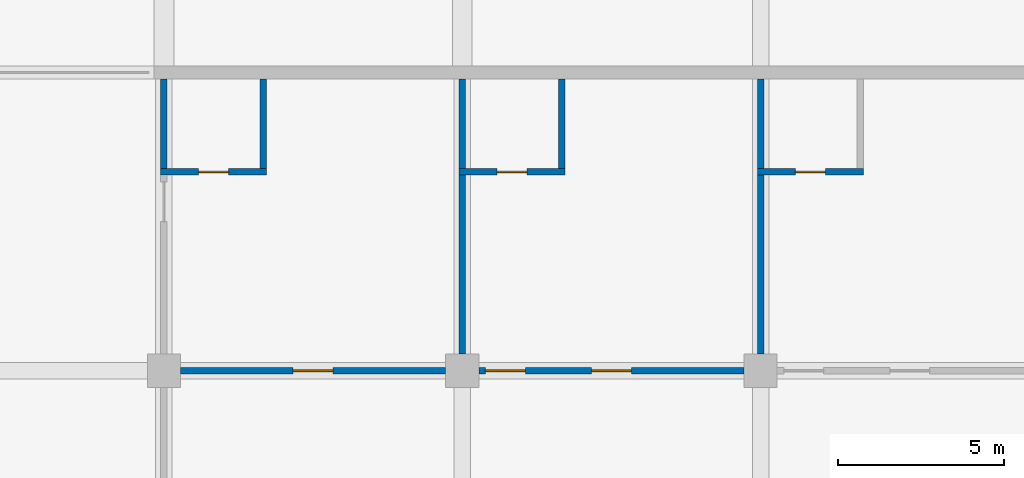
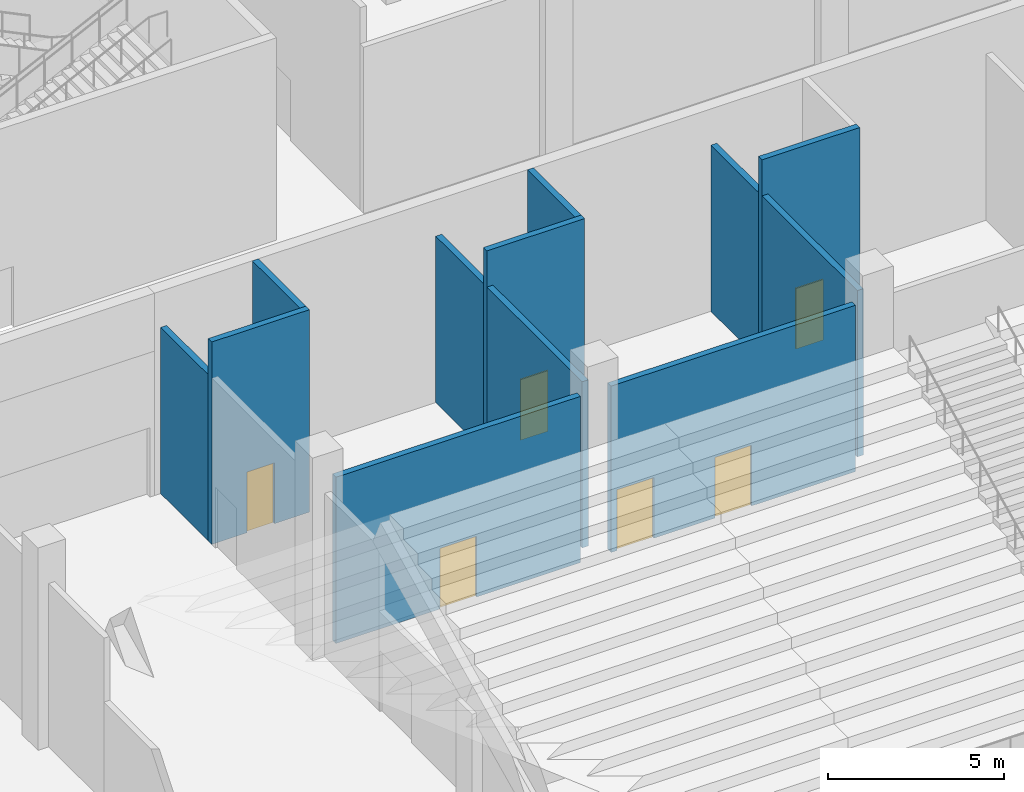
# One storey, part 30 of 92: 12 walls, 6 doors, 6 openings.
"""IFC4 building model written with IfcOpenShell, lengths in metres."""

import ifcopenshell
import ifcopenshell.guid

model = None  # the IFC model being written
_history = None  # IfcOwnerHistory: only IFC2X3 demands one
_inside = {}  # id of a spatial element -> (the spatial element, [elements in it])
_under = {}  # id of a project, library or spatial element -> (it, [spatial elements below it])
_declared = {}  # id of a project -> (the project, [libraries it declares])
_typed = {}  # id of a type object -> (the type object, [elements of that type])
_made_of = {}  # id of a material, layer set ... -> (it, [elements and type objects made of it])


def new_model(schema):
    """Start an empty IFC model of exactly this schema.

    Asked for "IFC4X3", IfcOpenShell would pick the latest addendum, in which some entities
    have other attributes; the version numbers below select the first issue.
    IFC2X3 requires an IfcOwnerHistory on every rooted entity: one is made here for all.
    """
    global model, _history
    if schema == "IFC4X3":
        model = ifcopenshell.file(schema_version=(4, 3, 0, 0))
    else:
        model = ifcopenshell.file(schema=schema)
    _inside.clear()
    _under.clear()
    _declared.clear()
    _typed.clear()
    _made_of.clear()
    _history = None
    if model.schema == "IFC2X3":
        org = make("IfcOrganization", Name="unknown")
        user = make(
            "IfcPersonAndOrganization",
            ThePerson=make("IfcPerson", FamilyName="unknown"),
            TheOrganization=org,
        )
        app = make(
            "IfcApplication",
            ApplicationDeveloper=org,
            Version="unknown",
            ApplicationFullName="unknown",
            ApplicationIdentifier="unknown",
        )
        _history = make(
            "IfcOwnerHistory",
            OwningUser=user,
            OwningApplication=app,
            ChangeAction="ADDED",
            CreationDate=0,
        )
    return model


def make(cls, **values):
    """One entity of the class cls with the attributes given. An attribute that is None is left unset."""
    return model.create_entity(
        cls, **{name: value for name, value in values.items() if value is not None}
    )


def rooted(cls, **values):
    """An entity with a GlobalId (a new one), such as an element, a storey or a relation."""
    return make(cls, GlobalId=ifcopenshell.guid.new(), OwnerHistory=_history, **values)


def si_unit(unit_type, name, prefix=None):
    """IfcSIUnit, for example si_unit("LENGTHUNIT", "METRE", prefix="MILLI")."""
    return make("IfcSIUnit", UnitType=unit_type, Prefix=prefix, Name=name)


def assignment(units):
    """IfcUnitAssignment: the units of a project."""
    return None if units is None else make("IfcUnitAssignment", Units=units)


def point(xyz):
    """IfcCartesianPoint."""
    return None if xyz is None else make("IfcCartesianPoint", Coordinates=xyz)


def direction(xyz):
    """IfcDirection."""
    return None if xyz is None else make("IfcDirection", DirectionRatios=xyz)


def frame(location, z_axis=None, x_axis=None):
    """IfcAxis2Placement3D, a coordinate frame: its origin and axes. An axis left out is left unset."""
    return make(
        "IfcAxis2Placement3D",
        Location=point(location),
        Axis=direction(z_axis),
        RefDirection=direction(x_axis),
    )


def frame_2d(location, x_axis=None):
    """IfcAxis2Placement2D, a coordinate frame in the plane: its origin and x axis."""
    return make(
        "IfcAxis2Placement2D", Location=point(location), RefDirection=direction(x_axis)
    )


def origin():
    """The frame at (0, 0, 0) with its axes left unset."""
    return frame((0.0, 0.0, 0.0))


def place(relative_to, where):
    """IfcLocalPlacement: puts the frame where relative to a parent placement (None: the world)."""
    return make(
        "IfcLocalPlacement", PlacementRelTo=relative_to, RelativePlacement=where
    )


def context(
    kind, dimensions, precision=None, world=None, true_north=None, identifier=None
):
    """IfcGeometricRepresentationContext, for example the 3D "Model" context."""
    return make(
        "IfcGeometricRepresentationContext",
        ContextIdentifier=identifier,
        ContextType=kind,
        CoordinateSpaceDimension=dimensions,
        Precision=precision,
        WorldCoordinateSystem=world,
        TrueNorth=true_north,
    )


def subcontext(parent, identifier, kind, view, scale=None):
    """IfcGeometricRepresentationSubContext, for example "Body" below "Model"."""
    return make(
        "IfcGeometricRepresentationSubContext",
        ContextIdentifier=identifier,
        ContextType=kind,
        ParentContext=parent,
        TargetScale=scale,
        TargetView=view,
    )


def project(units=None, contexts=None):
    """IfcProject with its units and contexts."""
    return rooted(
        "IfcProject",
        Name="project",
        RepresentationContexts=contexts,
        UnitsInContext=assignment(units),
    )


def spatial(cls, under=None, at=None, **own):
    """A site, building, storey or space (cls), placed at a placement, below another one or the project."""
    s = rooted(cls, ObjectPlacement=at, **own)
    if under is not None:
        _under.setdefault(under.id(), (under, []))[1].append(s)
    return s


def profile(cls, at=None, kind="AREA", **sizes):
    """A parametric profile (cls). Its sizes go by their IFC names, for example OverallWidth=200.0."""
    return make(cls, ProfileType=kind, Position=at, **sizes)


def rectangle(**sizes):
    """IfcRectangleProfileDef."""
    return profile("IfcRectangleProfileDef", **sizes)


def extrude(swept, where, along, depth):
    """IfcExtrudedAreaSolid: the profile swept, set in the frame where, extruded along a direction by depth."""
    return make(
        "IfcExtrudedAreaSolid",
        SweptArea=swept,
        Position=where,
        ExtrudedDirection=direction(along),
        Depth=depth,
    )


def shape(context_of_items, identifier, shape_type, items):
    """IfcShapeRepresentation: the items that make up one representation, for example the "Body"."""
    return make(
        "IfcShapeRepresentation",
        ContextOfItems=context_of_items,
        RepresentationIdentifier=identifier,
        RepresentationType=shape_type,
        Items=items,
    )


def material(Name=None, Category=None):
    """IfcMaterial."""
    return make("IfcMaterial", Name=Name, Category=Category)


def layer(
    of_material, thickness, ventilated=None, Name=None, Category=None, Priority=None
):
    """IfcMaterialLayer: one layer of a wall or slab, of a material (None: an air gap)."""
    return make(
        "IfcMaterialLayer",
        Material=of_material,
        LayerThickness=thickness,
        IsVentilated=ventilated,
        Name=Name,
        Category=Category,
        Priority=Priority,
    )


def layer_set(layers, Name=None):
    """IfcMaterialLayerSet."""
    return make("IfcMaterialLayerSet", MaterialLayers=layers, LayerSetName=Name)


def made_of(thing, what):
    """Note that an element or type object is made of a material, layer set ...; save() writes the relation."""
    if what is not None:
        _made_of.setdefault(what.id(), (what, []))[1].append(thing)
    return thing


def type_object(cls, material=None, **own):
    """A type object (cls), such as IfcWallType, which elements share."""
    return made_of(rooted(cls, **own), material)


def element(
    cls,
    number,
    at=None,
    inside=None,
    cuts=None,
    type_object=None,
    material=None,
    context=None,
    identifier="Body",
    shape_type=None,
    held_by="IfcProductDefinitionShape",
    body=None,
    shapes=None,
    **own,
):
    """One element of the class cls, such as IfcWall. Its Tag is "e" and its number.

    at: its placement. inside: the storey or other place that contains it. cuts: it is an
    opening in that element (IfcRelVoidsElement). A single representation is given by context,
    identifier, shape_type and body (its items); several are given by shapes. held_by: the class
    of the entity that holds the representations. save() writes the other relations.
    """
    e = rooted(cls, Tag="e%d" % number, ObjectPlacement=at, **own)
    if body is not None:
        shapes = [shape(context, identifier, shape_type, body)]
    if shapes is not None:
        e.Representation = make(held_by, Representations=shapes)
    if inside is not None:
        _inside.setdefault(inside.id(), (inside, []))[1].append(e)
    if cuts is not None:
        rooted(
            "IfcRelVoidsElement", RelatingBuildingElement=cuts, RelatedOpeningElement=e
        )
    if type_object is not None:
        _typed.setdefault(type_object.id(), (type_object, []))[1].append(e)
    return made_of(e, material)


def fill(opening, filler):
    """IfcRelFillsElement: the door or window that sits in an opening."""
    return rooted(
        "IfcRelFillsElement",
        RelatingOpeningElement=opening,
        RelatedBuildingElement=filler,
    )


def aggregate(whole, parts):
    """IfcRelAggregates: a whole, such as a stair, and the parts it consists of."""
    return rooted("IfcRelAggregates", RelatingObject=whole, RelatedObjects=parts)


def save(model, path):
    """Write the relations noted so far, then the file.

    IfcRelAggregates (storeys below a building ...), IfcRelContainedInSpatialStructure (elements
    in a storey), IfcRelDefinesByType, IfcRelAssociatesMaterial and IfcRelDeclares: one each for
    every whole, place, type object, material and project.
    """
    for whole, parts in _under.values():
        aggregate(whole, parts)
    for where, things in _inside.values():
        rooted(
            "IfcRelContainedInSpatialStructure",
            RelatedElements=things,
            RelatingStructure=where,
        )
    for kind, things in _typed.values():
        rooted("IfcRelDefinesByType", RelatedObjects=things, RelatingType=kind)
    for what, things in _made_of.values():
        rooted("IfcRelAssociatesMaterial", RelatedObjects=things, RelatingMaterial=what)
    for by, libraries in _declared.values():
        rooted("IfcRelDeclares", RelatingContext=by, RelatedDefinitions=libraries)
    model.write(path)


model = new_model("IFC4")

# Units and contexts
model_context = context("Model", 3, precision=1e-05, world=origin(), true_north=direction((0.0, 1.0)))
body_context = subcontext(model_context, "Body", "Model", "MODEL_VIEW")
ifc_project = project(units=[si_unit("LENGTHUNIT", "METRE"), si_unit("AREAUNIT", "SQUARE_METRE"), si_unit("VOLUMEUNIT", "CUBIC_METRE"), si_unit("PLANEANGLEUNIT", "RADIAN"), si_unit("MASSUNIT", "GRAM", prefix="KILO")], contexts=[model_context])

# Site, building, storey
site_placement = place(None, origin())
site = spatial("IfcSite", under=ifc_project, at=site_placement, CompositionType="ELEMENT")
building_placement = place(site_placement, origin())
building = spatial("IfcBuilding", under=site, at=building_placement, Name="Silverbay Arena", CompositionType="ELEMENT")
storey_placement = place(building_placement, origin())
storey = spatial("IfcBuildingStorey", under=building, at=storey_placement, Name="L00", CompositionType="ELEMENT", Elevation=0.0)

# Wall
ifc_material_1 = material(Name="Masonry blockwork partition", Category="masonry")
ifc_layer_1 = layer(ifc_material_1, 0.199951171875)
ifc_layer_set_1 = layer_set([ifc_layer_1], Name="Masonry blockwork partition")
wall_type_1 = type_object("IfcWallType", Name="Partition 200 EI 120", PredefinedType="PARTITIONING", material=ifc_layer_set_1)
wall_1_placement = place(storey_placement, frame((108.0, 123.10009765625, 0.0), z_axis=(0.0, 0.0, 1.0), x_axis=(0.0, 1.0, 0.0)))
element("IfcWall", 1, at=wall_1_placement, inside=storey, type_object=wall_type_1, Name="Partition wall", PredefinedType="PARTITIONING", context=body_context, shape_type="SweptSolid", body=[
    extrude(rectangle(XDim=2.699951171875, YDim=0.199951171875, at=frame_2d((1.35009765625, 0.0))), origin(), (0.0, 0.0, 1.0), 5.75),
])

# Wall, opening, door
ifc_material_2 = material(Name="Gypsum board partition on steel studs", Category="steel")
ifc_layer_2 = layer(ifc_material_2, 0.199951171875)
ifc_layer_set_2 = layer_set([ifc_layer_2], Name="Gypsum board partition on steel studs")
wall_type_2 = type_object("IfcWallType", Name="Partition 200 EI 60", PredefinedType="PARTITIONING", material=ifc_layer_set_2)
wall_2_placement = place(storey_placement, frame((108.5, 117.0, 0.0), z_axis=(0.0, 0.0, 1.0), x_axis=(1.0, 0.0, 0.0)))
wall_2 = element("IfcWall", 2, at=wall_2_placement, inside=storey, type_object=wall_type_2, Name="Partition wall", PredefinedType="PARTITIONING", context=body_context, shape_type="SweptSolid", body=[
    extrude(rectangle(XDim=8.0, YDim=0.199951171875, at=frame_2d((4.0, 0.0))), origin(), (0.0, 0.0, 1.0), 5.75),
])
opening_1_placement = place(wall_2_placement, frame((3.39990234375, 0.0, 0.0)))
opening_1 = element("IfcOpeningElement", 3, at=opening_1_placement, cuts=wall_2, Name="Opening L00-032", PredefinedType="OPENING", context=body_context, shape_type="SweptSolid", body=[
    extrude(rectangle(XDim=1.199951171875, YDim=2.10009765625, at=frame_2d((0.60009765625, 1.050048828125))), frame((0.0, 0.10986328125, 0.0), z_axis=(0.0, -1.0, 0.0), x_axis=(1.0, 0.0, 0.0)), (0.0, 0.0, 1.0), 0.219970703125),
])
ifc_material_3 = material(Name="Steel faced timber", Category="steel")
door_type_1 = type_object("IfcDoorType", Name="Single leaf door 1200 x 2100 FD30S", OperationType="SINGLE_SWING_LEFT", PredefinedType="DOOR", material=ifc_material_3)
door_1_placement = place(opening_1_placement, origin())
door_1 = element("IfcDoor", 4, at=door_1_placement, inside=storey, type_object=door_type_1, Name="Door L00-032", OperationType="SINGLE_SWING_RIGHT", OverallHeight=2.10009765625, OverallWidth=1.199951171875, PredefinedType="DOOR", context=body_context, shape_type="SweptSolid", body=[
    extrude(rectangle(XDim=1.199951171875, YDim=2.10009765625, at=frame_2d((0.60009765625, 1.050048828125))), frame((0.0, 0.02490234375, 0.0), z_axis=(0.0, -1.0, 0.0), x_axis=(1.0, 0.0, 0.0)), (0.0, 0.0, 1.0), 0.050048828125),
])
fill(opening_1, door_1)

# Wall, openings, doors
wall_3_placement = place(storey_placement, frame((117.5, 117.0, 0.0), z_axis=(0.0, 0.0, 1.0), x_axis=(1.0, 0.0, 0.0)))
wall_3 = element("IfcWall", 5, at=wall_3_placement, inside=storey, type_object=wall_type_2, Name="Partition wall", PredefinedType="PARTITIONING", context=body_context, shape_type="SweptSolid", body=[
    extrude(rectangle(XDim=8.0, YDim=0.199951171875, at=frame_2d((4.0, 0.0))), origin(), (0.0, 0.0, 1.0), 5.75),
])
opening_2_placement = place(wall_3_placement, frame((3.39990234375, 0.0, 0.0)))
opening_2 = element("IfcOpeningElement", 6, at=opening_2_placement, cuts=wall_3, Name="Opening L00-034", PredefinedType="OPENING", context=body_context, shape_type="SweptSolid", body=[
    extrude(rectangle(XDim=1.199951171875, YDim=2.10009765625, at=frame_2d((0.60009765625, 1.050048828125))), frame((0.0, 0.10986328125, 0.0), z_axis=(0.0, -1.0, 0.0), x_axis=(1.0, 0.0, 0.0)), (0.0, 0.0, 1.0), 0.219970703125),
])
opening_3_placement = place(wall_3_placement, frame((0.199951171875, 0.0, 0.0)))
opening_3 = element("IfcOpeningElement", 7, at=opening_3_placement, cuts=wall_3, Name="Opening L00-101", PredefinedType="OPENING", context=body_context, shape_type="SweptSolid", body=[
    extrude(rectangle(XDim=1.199951171875, YDim=2.10009765625, at=frame_2d((0.60009765625, 1.050048828125))), frame((0.0, 0.10986328125, 0.0), z_axis=(0.0, -1.0, 0.0), x_axis=(1.0, 0.0, 0.0)), (0.0, 0.0, 1.0), 0.219970703125),
])
door_2_placement = place(opening_2_placement, origin())
door_2 = element("IfcDoor", 8, at=door_2_placement, inside=storey, type_object=door_type_1, Name="Door L00-034", OperationType="SINGLE_SWING_RIGHT", OverallHeight=2.10009765625, OverallWidth=1.199951171875, PredefinedType="DOOR", context=body_context, shape_type="SweptSolid", body=[
    extrude(rectangle(XDim=1.199951171875, YDim=2.10009765625, at=frame_2d((0.60009765625, 1.050048828125))), frame((0.0, 0.02490234375, 0.0), z_axis=(0.0, -1.0, 0.0), x_axis=(1.0, 0.0, 0.0)), (0.0, 0.0, 1.0), 0.050048828125),
])
fill(opening_2, door_2)
door_3_placement = place(opening_3_placement, origin())
door_3 = element("IfcDoor", 9, at=door_3_placement, inside=storey, type_object=door_type_1, Name="Door L00-101", OperationType="SINGLE_SWING_LEFT", OverallHeight=2.10009765625, OverallWidth=1.199951171875, PredefinedType="DOOR", context=body_context, shape_type="SweptSolid", body=[
    extrude(rectangle(XDim=1.199951171875, YDim=2.10009765625, at=frame_2d((0.60009765625, 1.050048828125))), frame((0.0, 0.02490234375, 0.0), z_axis=(0.0, -1.0, 0.0), x_axis=(1.0, 0.0, 0.0)), (0.0, 0.0, 1.0), 0.050048828125),
])
fill(opening_3, door_3)

# Walls
for number, where, z_axis, x_axis, name in (
    (10, (117.0, 117.5, 0.0), (0.0, 0.0, 1.0), (0.0, 1.0, 0.0), "Partition wall"),
    (11, (126.0, 117.5, 0.0), (0.0, 0.0, 1.0), (0.0, 1.0, 0.0), "Partition wall"),
):
    element("IfcWall", number, at=place(storey_placement, frame(where, z_axis=z_axis, x_axis=x_axis)), inside=storey, type_object=wall_type_2, Name=name, PredefinedType="PARTITIONING", context=body_context, shape_type="SweptSolid", body=[
        extrude(rectangle(XDim=5.39990234375, YDim=0.199951171875, at=frame_2d((2.699951171875, 0.0))), origin(), (0.0, 0.0, 1.0), 5.75),
    ])

# Wall, opening, door
ifc_material_4 = material(Name="Gypsum board partition on steel studs", Category="steel")
ifc_layer_3 = layer(ifc_material_4, 0.199951171875)
ifc_layer_set_3 = layer_set([ifc_layer_3], Name="Gypsum board partition on steel studs")
wall_type_3 = type_object("IfcWallType", Name="Partition 200 plain", PredefinedType="PARTITIONING", material=ifc_layer_set_3)
wall_4_placement = place(storey_placement, frame((107.89990234375, 123.0, 0.0), z_axis=(0.0, 0.0, 1.0), x_axis=(1.0, 0.0, 0.0)))
wall_4 = element("IfcWall", 12, at=wall_4_placement, inside=storey, type_object=wall_type_3, Name="Partition wall", PredefinedType="PARTITIONING", context=body_context, shape_type="SweptSolid", body=[
    extrude(rectangle(XDim=3.2001953125, YDim=0.199951171875, at=frame_2d((1.60009765625, 0.0))), origin(), (0.0, 0.0, 1.0), 7.0),
])
opening_4_placement = place(wall_4_placement, frame((1.14990234375, 0.0, 0.0)))
opening_4 = element("IfcOpeningElement", 13, at=opening_4_placement, cuts=wall_4, Name="Opening L00-033", PredefinedType="OPENING", context=body_context, shape_type="SweptSolid", body=[
    extrude(rectangle(XDim=0.89990234375, YDim=2.10009765625, at=frame_2d((0.449951171875, 1.050048828125))), frame((0.0, 0.10986328125, 0.0), z_axis=(0.0, -1.0, 0.0), x_axis=(1.0, 0.0, 0.0)), (0.0, 0.0, 1.0), 0.219970703125),
])
ifc_material_5 = material(Name="Timber", Category="wood")
door_type_2 = type_object("IfcDoorType", Name="Single leaf door 900 x 2100", OperationType="SINGLE_SWING_LEFT", PredefinedType="DOOR", material=ifc_material_5)
door_4_placement = place(opening_4_placement, origin())
door_4 = element("IfcDoor", 14, at=door_4_placement, inside=storey, type_object=door_type_2, Name="Door L00-033", OperationType="SINGLE_SWING_LEFT", OverallHeight=2.10009765625, OverallWidth=0.89990234375, PredefinedType="DOOR", context=body_context, shape_type="SweptSolid", body=[
    extrude(rectangle(XDim=0.89990234375, YDim=2.10009765625, at=frame_2d((0.449951171875, 1.050048828125))), frame((0.0, 0.02490234375, 0.0), z_axis=(0.0, -1.0, 0.0), x_axis=(1.0, 0.0, 0.0)), (0.0, 0.0, 1.0), 0.050048828125),
])
fill(opening_4, door_4)

wall_5_placement = place(storey_placement, frame((116.89990234375, 123.0, 0.0), z_axis=(0.0, 0.0, 1.0), x_axis=(1.0, 0.0, 0.0)))
wall_5 = element("IfcWall", 15, at=wall_5_placement, inside=storey, type_object=wall_type_3, Name="Partition wall", PredefinedType="PARTITIONING", context=body_context, shape_type="SweptSolid", body=[
    extrude(rectangle(XDim=3.2001953125, YDim=0.199951171875, at=frame_2d((1.60009765625, 0.0))), origin(), (0.0, 0.0, 1.0), 7.0),
])
opening_5_placement = place(wall_5_placement, frame((1.14990234375, 0.0, 0.0)))
opening_5 = element("IfcOpeningElement", 16, at=opening_5_placement, cuts=wall_5, Name="Opening L00-035", PredefinedType="OPENING", context=body_context, shape_type="SweptSolid", body=[
    extrude(rectangle(XDim=0.89990234375, YDim=2.10009765625, at=frame_2d((0.449951171875, 1.050048828125))), frame((0.0, 0.10986328125, 0.0), z_axis=(0.0, -1.0, 0.0), x_axis=(1.0, 0.0, 0.0)), (0.0, 0.0, 1.0), 0.219970703125),
])
door_5_placement = place(opening_5_placement, origin())
door_5 = element("IfcDoor", 17, at=door_5_placement, inside=storey, type_object=door_type_2, Name="Door L00-035", OperationType="SINGLE_SWING_LEFT", OverallHeight=2.10009765625, OverallWidth=0.89990234375, PredefinedType="DOOR", context=body_context, shape_type="SweptSolid", body=[
    extrude(rectangle(XDim=0.89990234375, YDim=2.10009765625, at=frame_2d((0.449951171875, 1.050048828125))), frame((0.0, 0.02490234375, 0.0), z_axis=(0.0, -1.0, 0.0), x_axis=(1.0, 0.0, 0.0)), (0.0, 0.0, 1.0), 0.050048828125),
])
fill(opening_5, door_5)

wall_6_placement = place(storey_placement, frame((125.89990234375, 123.0, 0.0), z_axis=(0.0, 0.0, 1.0), x_axis=(1.0, 0.0, 0.0)))
wall_6 = element("IfcWall", 18, at=wall_6_placement, inside=storey, type_object=wall_type_3, Name="Partition wall", PredefinedType="PARTITIONING", context=body_context, shape_type="SweptSolid", body=[
    extrude(rectangle(XDim=3.2001953125, YDim=0.199951171875, at=frame_2d((1.60009765625, 0.0))), origin(), (0.0, 0.0, 1.0), 7.0),
])
opening_6_placement = place(wall_6_placement, frame((1.14990234375, 0.0, 0.0)))
opening_6 = element("IfcOpeningElement", 19, at=opening_6_placement, cuts=wall_6, Name="Opening L00-037", PredefinedType="OPENING", context=body_context, shape_type="SweptSolid", body=[
    extrude(rectangle(XDim=0.89990234375, YDim=2.10009765625, at=frame_2d((0.449951171875, 1.050048828125))), frame((0.0, 0.10986328125, 0.0), z_axis=(0.0, -1.0, 0.0), x_axis=(1.0, 0.0, 0.0)), (0.0, 0.0, 1.0), 0.219970703125),
])
door_6_placement = place(opening_6_placement, origin())
door_6 = element("IfcDoor", 20, at=door_6_placement, inside=storey, type_object=door_type_2, Name="Door L00-037", OperationType="SINGLE_SWING_LEFT", OverallHeight=2.10009765625, OverallWidth=0.89990234375, PredefinedType="DOOR", context=body_context, shape_type="SweptSolid", body=[
    extrude(rectangle(XDim=0.89990234375, YDim=2.10009765625, at=frame_2d((0.449951171875, 1.050048828125))), frame((0.0, 0.02490234375, 0.0), z_axis=(0.0, -1.0, 0.0), x_axis=(1.0, 0.0, 0.0)), (0.0, 0.0, 1.0), 0.050048828125),
])
fill(opening_6, door_6)

# Walls
wall_7_placement = place(storey_placement, frame((111.0, 123.10009765625, 0.0), z_axis=(0.0, 0.0, 1.0), x_axis=(0.0, 1.0, 0.0)))
element("IfcWall", 21, at=wall_7_placement, inside=storey, type_object=wall_type_3, Name="Partition wall", PredefinedType="PARTITIONING", context=body_context, shape_type="SweptSolid", body=[
    extrude(rectangle(XDim=2.699951171875, YDim=0.199951171875, at=frame_2d((1.35009765625, 0.0))), origin(), (0.0, 0.0, 1.0), 7.0),
])
wall_8_placement = place(storey_placement, frame((117.0, 123.10009765625, 0.0), z_axis=(0.0, 0.0, 1.0), x_axis=(0.0, 1.0, 0.0)))
element("IfcWall", 22, at=wall_8_placement, inside=storey, type_object=wall_type_3, Name="Partition wall", PredefinedType="PARTITIONING", context=body_context, shape_type="SweptSolid", body=[
    extrude(rectangle(XDim=2.699951171875, YDim=0.199951171875, at=frame_2d((1.35009765625, 0.0))), origin(), (0.0, 0.0, 1.0), 5.75),
])
wall_9_placement = place(storey_placement, frame((120.0, 123.10009765625, 0.0), z_axis=(0.0, 0.0, 1.0), x_axis=(0.0, 1.0, 0.0)))
element("IfcWall", 23, at=wall_9_placement, inside=storey, type_object=wall_type_3, Name="Partition wall", PredefinedType="PARTITIONING", context=body_context, shape_type="SweptSolid", body=[
    extrude(rectangle(XDim=2.699951171875, YDim=0.199951171875, at=frame_2d((1.35009765625, 0.0))), origin(), (0.0, 0.0, 1.0), 7.0),
])
wall_10_placement = place(storey_placement, frame((126.0, 123.10009765625, 0.0), z_axis=(0.0, 0.0, 1.0), x_axis=(0.0, 1.0, 0.0)))
element("IfcWall", 24, at=wall_10_placement, inside=storey, type_object=wall_type_3, Name="Partition wall", PredefinedType="PARTITIONING", context=body_context, shape_type="SweptSolid", body=[
    extrude(rectangle(XDim=2.699951171875, YDim=0.199951171875, at=frame_2d((1.35009765625, 0.0))), origin(), (0.0, 0.0, 1.0), 5.75),
])

save(model, "model.ifc")
